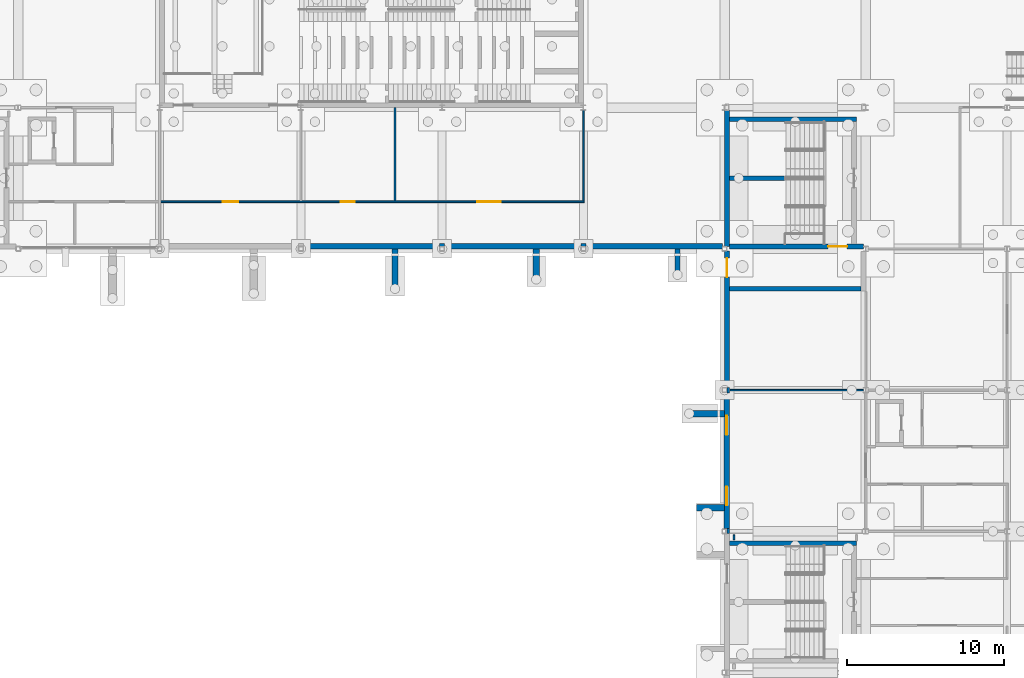
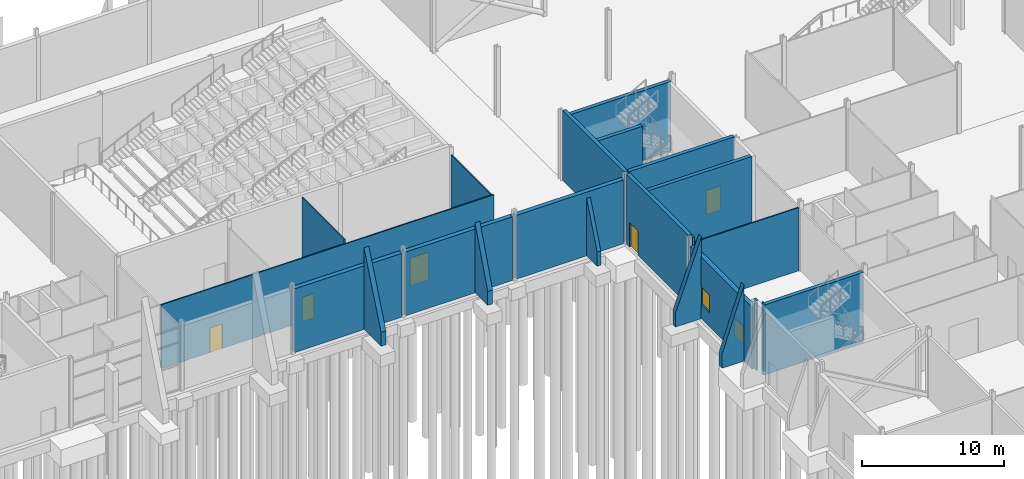
# One storey, part 99 of 139: 25 walls, 5 doors, 2 windows, 7 openings.
"""IFC4 building model written with IfcOpenShell, lengths in metres."""

from ifc_helpers import new_model, si_unit, direction, frame, frame_2d, origin, place, context, subcontext, project, spatial, polyline, rectangle, outline, extrude, material, layer, layer_set, type_object, element, fill, save


model = new_model("IFC4")

# Units and contexts
model_context = context("Model", 3, precision=1e-05, world=origin(), true_north=direction((0.0, 1.0)))
body_context = subcontext(model_context, "Body", "Model", "MODEL_VIEW")
ifc_project = project(units=[si_unit("LENGTHUNIT", "METRE"), si_unit("AREAUNIT", "SQUARE_METRE"), si_unit("VOLUMEUNIT", "CUBIC_METRE"), si_unit("PLANEANGLEUNIT", "RADIAN"), si_unit("MASSUNIT", "GRAM", prefix="KILO")], contexts=[model_context])

# Site, building, storey
site_placement = place(None, origin())
site = spatial("IfcSite", under=ifc_project, at=site_placement, CompositionType="ELEMENT")
building_placement = place(site_placement, origin())
building = spatial("IfcBuilding", under=site, at=building_placement, Name="Shorebreak Coast Museum", CompositionType="ELEMENT")
storey_placement = place(building_placement, origin())
storey = spatial("IfcBuildingStorey", under=building, at=storey_placement, Name="L00", CompositionType="ELEMENT", Elevation=0.0)

# Walls
ifc_material_1 = material(Name="Concrete N50 (50 MPa)", Category="concrete")
ifc_layer_1 = layer(ifc_material_1, 0.14990234375)
ifc_layer_set_1 = layer_set([ifc_layer_1], Name="Concrete N50 (50 MPa)")
wall_type_1 = type_object("IfcWallType", Name="Column closure panel 150", PredefinedType="SOLIDWALL", material=ifc_layer_set_1)
for number, where, z_axis, x_axis, name in (
    (1, (54.22509765625, 35.85009765625, 0.0), (0.0, 0.0, 1.0), (0.0, 1.0, 0.0), "Column closure panel L00 W 7E"),
    (2, (54.22509765625, 44.827880859375, 0.0), (0.0, 0.0, 1.0), (0.0, 1.0, 0.0), "Column closure panel L00 W 7F"),
):
    element("IfcWall", number, at=place(storey_placement, frame(where, z_axis=z_axis, x_axis=x_axis)), inside=storey, type_object=wall_type_1, Name=name, PredefinedType="SOLIDWALL", context=body_context, shape_type="SweptSolid", body=[
        extrude(rectangle(XDim=0.322021484375, YDim=0.14990234375, at=frame_2d((0.1611328125, 0.0))), origin(), (0.0, 0.0, 1.0), 6.0),
    ])
ifc_material_2 = material(Name="Concrete N50 (50 MPa)", Category="concrete")
ifc_layer_2 = layer(ifc_material_2, 0.175048828125)
ifc_layer_set_2 = layer_set([ifc_layer_2], Name="Concrete N50 (50 MPa)")
wall_type_2 = type_object("IfcWallType", Name="Column closure panel 175", PredefinedType="SOLIDWALL", material=ifc_layer_set_2)
for number, where, z_axis, x_axis, name in (
    (3, (35.839111328125, 54.237548828125, 0.0), (0.0, 0.0, 1.0), (1.0, 0.0, 0.0), "Column closure panel L00 S 5G"),
    (4, (44.839111328125, 54.237548828125, 0.0), (0.0, 0.0, 1.0), (1.0, 0.0, 0.0), "Column closure panel L00 S 6G"),
):
    element("IfcWall", number, at=place(storey_placement, frame(where, z_axis=z_axis, x_axis=x_axis)), inside=storey, type_object=wall_type_2, Name=name, PredefinedType="SOLIDWALL", context=body_context, shape_type="SweptSolid", body=[
        extrude(rectangle(XDim=0.32177734375, YDim=0.175048828125, at=frame_2d((0.160888671875, 0.0))), origin(), (0.0, 0.0, 1.0), 5.469482421875),
    ])
ifc_material_3 = material(Name="Plasterboard on steel stud", Category="steel")
ifc_layer_3 = layer(ifc_material_3, 0.10009765625)
ifc_layer_set_3 = layer_set([ifc_layer_3], Name="Plasterboard on steel stud")
wall_type_3 = type_object("IfcWallType", Name="Partition 100", PredefinedType="PARTITIONING", material=ifc_layer_set_3)
wall_1_placement = place(storey_placement, frame((54.35009765625, 45.0, 0.0), z_axis=(0.0, 0.0, 1.0), x_axis=(1.0, 0.0, 0.0)))
element("IfcWall", 5, at=wall_1_placement, inside=storey, type_object=wall_type_3, Name="Partition L00-026", PredefinedType="PARTITIONING", context=body_context, shape_type="SweptSolid", body=[
    extrude(rectangle(XDim=8.495361328125, YDim=0.10009765625, at=frame_2d((4.24755859375, 0.0))), origin(), (0.0, 0.0, 1.0), 5.418701171875),
])

# Wall, openings, doors
wall_2_placement = place(storey_placement, frame((18.0625, 57.0, 0.0), z_axis=(0.0, 0.0, 1.0), x_axis=(1.0, 0.0, 0.0)))
wall_2 = element("IfcWall", 6, at=wall_2_placement, inside=storey, type_object=wall_type_3, Name="Partition L00-035", PredefinedType="PARTITIONING", context=body_context, shape_type="SweptSolid", body=[
    extrude(rectangle(XDim=26.987548828125, YDim=0.10009765625, at=frame_2d((13.49365234375, 0.0))), origin(), (0.0, 0.0, 1.0), 5.469482421875),
])
opening_1_placement = place(wall_2_placement, frame((3.949951171875, 0.0, 0.0)))
opening_1 = element("IfcOpeningElement", 7, at=opening_1_placement, cuts=wall_2, Name="Opening D0033", PredefinedType="OPENING", context=body_context, shape_type="SweptSolid", body=[
    extrude(rectangle(XDim=1.0, YDim=2.10009765625, at=frame_2d((0.5, 1.050048828125))), frame((0.0, 0.06005859375, 0.0), z_axis=(0.0, -1.0, 0.0), x_axis=(1.0, 0.0, 0.0)), (0.0, 0.0, 1.0), 0.1201171875),
])
opening_2_placement = place(wall_2_placement, frame((11.487548828125, 0.0, 0.0)))
opening_2 = element("IfcOpeningElement", 8, at=opening_2_placement, cuts=wall_2, Name="Opening D0034", PredefinedType="OPENING", context=body_context, shape_type="SweptSolid", body=[
    extrude(rectangle(XDim=0.89990234375, YDim=2.10009765625, at=frame_2d((0.449951171875, 1.050048828125))), frame((0.0, 0.06005859375, 0.0), z_axis=(0.0, -1.0, 0.0), x_axis=(1.0, 0.0, 0.0)), (0.0, 0.0, 1.0), 0.1201171875),
])
opening_3_placement = place(wall_2_placement, frame((20.1875, 0.0, 0.0)))
opening_3 = element("IfcOpeningElement", 9, at=opening_3_placement, cuts=wall_2, Name="Opening D0035", PredefinedType="OPENING", context=body_context, shape_type="SweptSolid", body=[
    extrude(rectangle(XDim=1.5, YDim=2.39990234375, at=frame_2d((0.75, 1.199951171875))), frame((0.0, 0.06005859375, 0.0), z_axis=(0.0, -1.0, 0.0), x_axis=(1.0, 0.0, 0.0)), (0.0, 0.0, 1.0), 0.1201171875),
])
ifc_material_4 = material(Name="Timber", Category="wood")
door_type_1 = type_object("IfcDoorType", Name="Interior door 1000x2100", OperationType="SINGLE_SWING_LEFT", PredefinedType="DOOR", material=ifc_material_4)
door_1_placement = place(opening_1_placement, origin())
door_1 = element("IfcDoor", 10, at=door_1_placement, inside=storey, type_object=door_type_1, Name="Door D0033 Green Room", OperationType="SINGLE_SWING_LEFT", OverallHeight=2.10009765625, OverallWidth=1.0, PredefinedType="DOOR", context=body_context, shape_type="SweptSolid", body=[
    extrude(rectangle(XDim=1.0, YDim=2.10009765625, at=frame_2d((0.5, 1.050048828125))), frame((0.0, 0.02490234375, 0.0), z_axis=(0.0, -1.0, 0.0), x_axis=(1.0, 0.0, 0.0)), (0.0, 0.0, 1.0), 0.050048828125),
])
fill(opening_1, door_1)
ifc_material_5 = material(Name="Timber", Category="wood")
door_type_2 = type_object("IfcDoorType", Name="Interior door 1500x2400", OperationType="DOUBLE_DOOR_SINGLE_SWING", PredefinedType="DOOR", material=ifc_material_5)
door_2_placement = place(opening_3_placement, origin())
door_2 = element("IfcDoor", 11, at=door_2_placement, inside=storey, type_object=door_type_2, Name="Door D0035 Seat Store", OperationType="DOUBLE_DOOR_SINGLE_SWING", OverallHeight=2.39990234375, OverallWidth=1.5, PredefinedType="DOOR", context=body_context, shape_type="SweptSolid", body=[
    extrude(rectangle(XDim=1.5, YDim=2.39990234375, at=frame_2d((0.75, 1.199951171875))), frame((0.0, 0.02490234375, 0.0), z_axis=(0.0, -1.0, 0.0), x_axis=(1.0, 0.0, 0.0)), (0.0, 0.0, 1.0), 0.050048828125),
])
fill(opening_3, door_2)
ifc_material_6 = material(Name="Timber", Category="wood")
door_type_3 = type_object("IfcDoorType", Name="Interior door 900x2100", OperationType="SINGLE_SWING_LEFT", PredefinedType="DOOR", material=ifc_material_6)
door_3_placement = place(opening_2_placement, origin())
door_3 = element("IfcDoor", 12, at=door_3_placement, inside=storey, type_object=door_type_3, Name="Door D0034 Control Room", OperationType="SINGLE_SWING_RIGHT", OverallHeight=2.10009765625, OverallWidth=0.89990234375, PredefinedType="DOOR", context=body_context, shape_type="SweptSolid", body=[
    extrude(rectangle(XDim=0.89990234375, YDim=2.10009765625, at=frame_2d((0.449951171875, 1.050048828125))), frame((0.0, 0.02490234375, 0.0), z_axis=(0.0, -1.0, 0.0), x_axis=(1.0, 0.0, 0.0)), (0.0, 0.0, 1.0), 0.050048828125),
])
fill(opening_2, door_3)

# Walls
wall_3_placement = place(storey_placement, frame((33.0, 57.050048828125, 0.0), z_axis=(0.0, 0.0, 1.0), x_axis=(0.0, 1.0, 0.0)))
element("IfcWall", 13, at=wall_3_placement, inside=storey, type_object=wall_type_3, Name="Partition L00-090", PredefinedType="PARTITIONING", context=body_context, shape_type="SweptSolid", body=[
    extrude(rectangle(XDim=5.949951171875, YDim=0.10009765625, at=frame_2d((2.97509765625, 0.0))), origin(), (0.0, 0.0, 1.0), 5.824951171875),
])
wall_4_placement = place(storey_placement, frame((45.0, 57.050048828125, 0.0), z_axis=(0.0, 0.0, 1.0), x_axis=(0.0, 1.0, 0.0)))
element("IfcWall", 14, at=wall_4_placement, inside=storey, type_object=wall_type_3, Name="Partition L00-091", PredefinedType="PARTITIONING", context=body_context, shape_type="SweptSolid", body=[
    extrude(rectangle(XDim=5.786376953125, YDim=0.10009765625, at=frame_2d((2.89306640625, 0.0))), origin(), (0.0, 0.0, 1.0), 5.364501953125),
])
wall_5_placement = place(storey_placement, frame((54.60009765625, 35.449951171875, 0.0), z_axis=(0.0, 0.0, 1.0), x_axis=(0.0, 1.0, 0.0)))
element("IfcWall", 15, at=wall_5_placement, inside=storey, type_object=wall_type_3, Name="Partition L00-094", PredefinedType="PARTITIONING", context=body_context, shape_type="SweptSolid", body=[
    extrude(rectangle(XDim=0.330078125, YDim=0.10009765625, at=frame_2d((0.1650390625, 0.0))), origin(), (0.0, 0.0, 1.0), 5.824951171875),
])

# Wall, openings, windows
ifc_material_7 = material(Name="Concrete N50 (50 MPa)", Category="concrete")
ifc_layer_4 = layer(ifc_material_7, 0.35009765625)
ifc_layer_set_4 = layer_set([ifc_layer_4], Name="Concrete N50 (50 MPa)")
wall_type_4 = type_object("IfcWallType", Name="Precast plinth panel 350", PredefinedType="SOLIDWALL", material=ifc_layer_set_4)
wall_6_placement = place(storey_placement, frame((54.14990234375, 36.172119140625, 0.0), z_axis=(0.0, 0.0, 1.0), x_axis=(0.0, 1.0, 0.0)))
wall_6 = element("IfcWall", 16, at=wall_6_placement, inside=storey, type_object=wall_type_4, Name="External wall L00 W 7E", PredefinedType="SOLIDWALL", context=body_context, shape_type="SweptSolid", body=[
    extrude(rectangle(XDim=8.65576171875, YDim=0.35009765625, at=frame_2d((4.327880859375, 0.0))), origin(), (0.0, 0.0, 1.0), 5.2919921875),
])
opening_4_placement = place(wall_6_placement, frame((1.47802734375, 0.0, 1.199951171875)))
opening_4 = element("IfcOpeningElement", 17, at=opening_4_placement, cuts=wall_6, Name="Opening WN0010", PredefinedType="OPENING", context=body_context, shape_type="SweptSolid", body=[
    extrude(rectangle(XDim=1.199951171875, YDim=1.5, at=frame_2d((0.60009765625, 0.75))), frame((0.0, 0.18505859375, 0.0), z_axis=(0.0, -1.0, 0.0), x_axis=(1.0, 0.0, 0.0)), (0.0, 0.0, 1.0), 0.3701171875),
])
opening_5_placement = place(wall_6_placement, frame((5.97802734375, 0.0, 1.199951171875)))
opening_5 = element("IfcOpeningElement", 18, at=opening_5_placement, cuts=wall_6, Name="Opening WN0011", PredefinedType="OPENING", context=body_context, shape_type="SweptSolid", body=[
    extrude(rectangle(XDim=1.199951171875, YDim=1.5, at=frame_2d((0.60009765625, 0.75))), frame((0.0, 0.18505859375, 0.0), z_axis=(0.0, -1.0, 0.0), x_axis=(1.0, 0.0, 0.0)), (0.0, 0.0, 1.0), 0.3701171875),
])
ifc_material_8 = material(Name="Aluminium", Category="aluminium")
window_type = type_object("IfcWindowType", Name="Punched window 1200 x 1500", PartitioningType="SINGLE_PANEL", PredefinedType="WINDOW", material=ifc_material_8)
window_1_placement = place(opening_4_placement, origin())
window_1 = element("IfcWindow", 19, at=window_1_placement, inside=storey, type_object=window_type, Name="Window WN0010", OverallHeight=1.5, OverallWidth=1.199951171875, PartitioningType="SINGLE_PANEL", PredefinedType="WINDOW", context=body_context, shape_type="SweptSolid", body=[
    extrude(rectangle(XDim=1.199951171875, YDim=1.5, at=frame_2d((0.60009765625, 0.75))), frame((0.0, 0.030029296875, 0.0), z_axis=(0.0, -1.0, 0.0), x_axis=(1.0, 0.0, 0.0)), (0.0, 0.0, 1.0), 0.06005859375),
])
fill(opening_4, window_1)
window_2_placement = place(opening_5_placement, origin())
window_2 = element("IfcWindow", 20, at=window_2_placement, inside=storey, type_object=window_type, Name="Window WN0011", OverallHeight=1.5, OverallWidth=1.199951171875, PartitioningType="SINGLE_PANEL", PredefinedType="WINDOW", context=body_context, shape_type="SweptSolid", body=[
    extrude(rectangle(XDim=1.199951171875, YDim=1.5, at=frame_2d((0.60009765625, 0.75))), frame((0.0, 0.030029296875, 0.0), z_axis=(0.0, -1.0, 0.0), x_axis=(1.0, 0.0, 0.0)), (0.0, 0.0, 1.0), 0.06005859375),
])
fill(opening_5, window_2)

# Walls
for number, where, z_axis, x_axis, name in (
    (21, (27.160888671875, 54.14990234375, 0.0), (0.0, 0.0, 1.0), (1.0, 0.0, 0.0), "External wall L00 S 4G"),
    (22, (36.160888671875, 54.14990234375, 0.0), (0.0, 0.0, 1.0), (1.0, 0.0, 0.0), "External wall L00 S 5G"),
):
    element("IfcWall", number, at=place(storey_placement, frame(where, z_axis=z_axis, x_axis=x_axis)), inside=storey, type_object=wall_type_4, Name=name, PredefinedType="SOLIDWALL", context=body_context, shape_type="SweptSolid", body=[
        extrude(rectangle(XDim=8.67822265625, YDim=0.35009765625, at=frame_2d((4.339111328125, 0.0))), origin(), (0.0, 0.0, 1.0), 5.469482421875),
    ])
wall_7_placement = place(storey_placement, frame((45.160888671875, 54.14990234375, 0.0), z_axis=(0.0, 0.0, 1.0), x_axis=(1.0, 0.0, 0.0)))
element("IfcWall", 23, at=wall_7_placement, inside=storey, type_object=wall_type_4, Name="External wall L00 S 6G", PredefinedType="SOLIDWALL", context=body_context, shape_type="SweptSolid", body=[
    extrude(rectangle(XDim=8.689208984375, YDim=0.35009765625, at=frame_2d((4.3447265625, 0.0))), origin(), (0.0, 0.0, 1.0), 5.469482421875),
])

# Wall, opening, door
ifc_material_9 = material(Name="Concrete N50 (50 MPa)", Category="concrete")
ifc_layer_5 = layer(ifc_material_9, 0.300048828125)
ifc_layer_set_5 = layer_set([ifc_layer_5], Name="Concrete N50 (50 MPa)")
wall_type_5 = type_object("IfcWallType", Name="RC wall 300", PredefinedType="SHEAR", material=ifc_layer_set_5)
wall_8_placement = place(storey_placement, frame((54.300048828125, 54.14990234375, 0.0), z_axis=(0.0, 0.0, 1.0), x_axis=(1.0, 0.0, 0.0)))
wall_8 = element("IfcWall", 24, at=wall_8_placement, inside=storey, type_object=wall_type_5, Name="Stair core wall ST01 L00 S", PredefinedType="SHEAR", context=body_context, shape_type="SweptSolid", body=[
    extrude(rectangle(XDim=8.54541015625, YDim=0.300048828125, at=frame_2d((4.272705078125, 0.0))), origin(), (0.0, 0.0, 1.0), 6.0),
])
opening_6_placement = place(wall_8_placement, frame((6.300048828125, 0.0, 0.0)))
opening_6 = element("IfcOpeningElement", 25, at=opening_6_placement, cuts=wall_8, Name="Opening D0551", PredefinedType="OPENING", context=body_context, shape_type="SweptSolid", body=[
    extrude(rectangle(XDim=1.199951171875, YDim=2.10009765625, at=frame_2d((0.60009765625, 1.050048828125))), frame((0.0, 0.159912109375, 0.0), z_axis=(0.0, -1.0, 0.0), x_axis=(1.0, 0.0, 0.0)), (0.0, 0.0, 1.0), 0.320068359375),
])
ifc_material_10 = material(Name="Steel Grade 300", Category="steel")
door_type_4 = type_object("IfcDoorType", Name="Fire door 1200x2100", OperationType="SINGLE_SWING_LEFT", PredefinedType="DOOR", material=ifc_material_10)
door_4_placement = place(opening_6_placement, origin())
door_4 = element("IfcDoor", 26, at=door_4_placement, inside=storey, type_object=door_type_4, Name="Passage door ST01", OperationType="SINGLE_SWING_RIGHT", OverallHeight=2.10009765625, OverallWidth=1.199951171875, PredefinedType="DOOR", context=body_context, shape_type="SweptSolid", body=[
    extrude(rectangle(XDim=1.199951171875, YDim=2.10009765625, at=frame_2d((0.60009765625, 1.050048828125))), frame((0.0, 0.02490234375, 0.0), z_axis=(0.0, -1.0, 0.0), x_axis=(1.0, 0.0, 0.0)), (0.0, 0.0, 1.0), 0.050048828125),
])
fill(opening_6, door_4)

# Walls
wall_9_placement = place(storey_placement, frame((54.300048828125, 62.25, 0.0), z_axis=(0.0, 0.0, 1.0), x_axis=(1.0, 0.0, 0.0)))
element("IfcWall", 27, at=wall_9_placement, inside=storey, type_object=wall_type_5, Name="Stair core wall ST01 L00 N", PredefinedType="SHEAR", context=body_context, shape_type="SweptSolid", body=[
    extrude(rectangle(XDim=8.099853515625, YDim=0.300048828125, at=frame_2d((4.0498046875, 0.0))), origin(), (0.0, 0.0, 1.0), 6.0),
])
wall_10_placement = place(storey_placement, frame((54.14990234375, 54.14990234375, 0.0), z_axis=(0.0, 0.0, 1.0), x_axis=(0.0, 1.0, 0.0)))
element("IfcWall", 28, at=wall_10_placement, inside=storey, type_object=wall_type_5, Name="Stair core wall ST01 L00 W", PredefinedType="SHEAR", context=body_context, shape_type="SweptSolid", body=[
    extrude(rectangle(XDim=8.689697265625, YDim=0.300048828125, at=frame_2d((4.3447265625, 0.0))), origin(), (0.0, 0.0, 1.0), 6.0),
])
wall_11_placement = place(storey_placement, frame((54.300048828125, 35.25, 0.0), z_axis=(0.0, 0.0, 1.0), x_axis=(1.0, 0.0, 0.0)))
element("IfcWall", 29, at=wall_11_placement, inside=storey, type_object=wall_type_5, Name="Stair core wall ST13 L00 N", PredefinedType="SHEAR", context=body_context, shape_type="SweptSolid", body=[
    extrude(rectangle(XDim=8.099853515625, YDim=0.300048828125, at=frame_2d((4.0498046875, 0.0))), origin(), (0.0, 0.0, 1.0), 6.0),
])

# Wall, opening, door
wall_12_placement = place(storey_placement, frame((54.14990234375, 45.14990234375, 0.0), z_axis=(0.0, 0.0, 1.0), x_axis=(0.0, 1.0, 0.0)))
wall_12 = element("IfcWall", 30, at=wall_12_placement, inside=storey, type_object=wall_type_5, Name="Exit passage wall PX1 exit", PredefinedType="SHEAR", context=body_context, shape_type="SweptSolid", body=[
    extrude(rectangle(XDim=8.7001953125, YDim=0.300048828125, at=frame_2d((4.35009765625, 0.0))), origin(), (0.0, 0.0, 1.0), 6.0),
])
opening_7_placement = place(wall_12_placement, frame((7.050048828125, 0.0, 0.0)))
opening_7 = element("IfcOpeningElement", 31, at=opening_7_placement, cuts=wall_12, Name="Opening D0561", PredefinedType="OPENING", context=body_context, shape_type="SweptSolid", body=[
    extrude(rectangle(XDim=1.199951171875, YDim=2.10009765625, at=frame_2d((0.60009765625, 1.050048828125))), frame((0.0, 0.159912109375, 0.0), z_axis=(0.0, -1.0, 0.0), x_axis=(1.0, 0.0, 0.0)), (0.0, 0.0, 1.0), 0.320068359375),
])
ifc_material_11 = material(Name="Steel Grade 300", Category="steel")
door_type_5 = type_object("IfcDoorType", Name="Exit door 1200x2100", OperationType="SINGLE_SWING_LEFT", PredefinedType="DOOR", material=ifc_material_11)
door_5_placement = place(opening_7_placement, origin())
door_5 = element("IfcDoor", 32, at=door_5_placement, inside=storey, type_object=door_type_5, Name="Exit door PX1", OperationType="SINGLE_SWING_LEFT", OverallHeight=2.10009765625, OverallWidth=1.199951171875, PredefinedType="DOOR", context=body_context, shape_type="SweptSolid", body=[
    extrude(rectangle(XDim=1.199951171875, YDim=2.10009765625, at=frame_2d((0.60009765625, 1.050048828125))), frame((0.0, 0.02490234375, 0.0), z_axis=(0.0, -1.0, 0.0), x_axis=(1.0, 0.0, 0.0)), (0.0, 0.0, 1.0), 0.050048828125),
])
fill(opening_7, door_5)

# Walls
wall_13_placement = place(storey_placement, frame((54.300048828125, 51.449951171875, 0.0), z_axis=(0.0, 0.0, 1.0), x_axis=(1.0, 0.0, 0.0)))
element("IfcWall", 33, at=wall_13_placement, inside=storey, type_object=wall_type_5, Name="Exit passage wall PX1 far", PredefinedType="SHEAR", context=body_context, shape_type="SweptSolid", body=[
    extrude(rectangle(XDim=8.39990234375, YDim=0.300048828125, at=frame_2d((4.199951171875, 0.0))), origin(), (0.0, 0.0, 1.0), 6.0),
])
wall_14_placement = place(storey_placement, frame((57.89990234375, 58.5, 0.0), z_axis=(0.0, 0.0, 1.0), x_axis=(-1.0, 0.0, 0.0)))
element("IfcWall", 34, at=wall_14_placement, inside=storey, type_object=wall_type_5, Name="Stair spine wall ST01 L00", PredefinedType="SHEAR", context=body_context, shape_type="SweptSolid", body=[
    extrude(rectangle(XDim=3.599853515625, YDim=0.300048828125, at=frame_2d((1.7998046875, 0.0))), origin(), (0.0, 0.0, 1.0), 6.0),
])
ifc_material_12 = material(Name="Concrete N50 (50 MPa)", Category="concrete")
ifc_layer_6 = layer(ifc_material_12, 0.300048828125)
ifc_layer_set_6 = layer_set([ifc_layer_6], Name="Concrete N50 (50 MPa)")
wall_type_6 = type_object("IfcWallType", Name="Raked fin 300", PredefinedType="SOLIDWALL", material=ifc_layer_set_6)
wall_15_placement = place(storey_placement, frame((51.0, 54.0, 0.0), z_axis=(0.0, 0.0, 1.0), x_axis=(0.0, -1.0, 0.0)))
element("IfcWall", 35, at=wall_15_placement, inside=storey, type_object=wall_type_6, Name="Raked fin WS18", PredefinedType="SOLIDWALL", context=body_context, shape_type="SweptSolid", body=[
    extrude(outline(polyline([(0.0, 0.0), (1.5, 0.0), (1.5, 1.199951171875), (0.0, 5.0), (0.0, 0.0)])), frame((0.0, 0.14990234375, 0.0), z_axis=(0.0, -1.0, 0.0), x_axis=(1.0, 0.0, 0.0)), (0.0, 0.0, 1.0), 0.300048828125),
])
ifc_material_13 = material(Name="Concrete N50 (50 MPa)", Category="concrete")
ifc_layer_7 = layer(ifc_material_13, 0.39990234375)
ifc_layer_set_7 = layer_set([ifc_layer_7], Name="Concrete N50 (50 MPa)")
wall_type_7 = type_object("IfcWallType", Name="Raked fin 400", PredefinedType="SOLIDWALL", material=ifc_layer_set_7)
wall_16_placement = place(storey_placement, frame((33.0, 54.0, 0.0), z_axis=(0.0, 0.0, 1.0), x_axis=(0.0, -1.0, 0.0)))
element("IfcWall", 36, at=wall_16_placement, inside=storey, type_object=wall_type_7, Name="Raked fin WS16", PredefinedType="SOLIDWALL", context=body_context, shape_type="SweptSolid", body=[
    extrude(outline(polyline([(0.0, 0.0), (2.39990234375, 0.0), (2.39990234375, 1.199951171875), (0.0, 7.0), (0.0, 0.0)])), frame((0.0, 0.199951171875, 0.0), z_axis=(0.0, -1.0, 0.0), x_axis=(1.0, 0.0, 0.0)), (0.0, 0.0, 1.0), 0.39990234375),
])
wall_17_placement = place(storey_placement, frame((42.0, 54.0, 0.0), z_axis=(0.0, 0.0, 1.0), x_axis=(0.0, -1.0, 0.0)))
element("IfcWall", 37, at=wall_17_placement, inside=storey, type_object=wall_type_7, Name="Raked fin WS17", PredefinedType="SOLIDWALL", context=body_context, shape_type="SweptSolid", body=[
    extrude(outline(polyline([(0.0, 0.0), (1.800048828125, 0.0), (1.800048828125, 1.199951171875), (0.0, 6.0), (0.0, 0.0)])), frame((0.0, 0.199951171875, 0.0), z_axis=(0.0, -1.0, 0.0), x_axis=(1.0, 0.0, 0.0)), (0.0, 0.0, 1.0), 0.39990234375),
])
wall_18_placement = place(storey_placement, frame((54.0, 37.5, 0.0), z_axis=(0.0, 0.0, 1.0), x_axis=(-1.0, 0.0, 0.0)))
element("IfcWall", 38, at=wall_18_placement, inside=storey, type_object=wall_type_7, Name="Raked fin SW38", PredefinedType="SOLIDWALL", context=body_context, shape_type="SweptSolid", body=[
    extrude(outline(polyline([(0.0, 0.0), (1.800048828125, 0.0), (1.800048828125, 1.199951171875), (0.0, 6.5), (0.0, 0.0)])), frame((0.0, 0.199951171875, 0.0), z_axis=(0.0, -1.0, 0.0), x_axis=(1.0, 0.0, 0.0)), (0.0, 0.0, 1.0), 0.39990234375),
])
wall_19_placement = place(storey_placement, frame((54.0, 43.5, 0.0), z_axis=(0.0, 0.0, 1.0), x_axis=(-1.0, 0.0, 0.0)))
element("IfcWall", 39, at=wall_19_placement, inside=storey, type_object=wall_type_7, Name="Raked fin SW39", PredefinedType="SOLIDWALL", context=body_context, shape_type="SweptSolid", body=[
    extrude(outline(polyline([(0.0, 0.0), (2.10009765625, 0.0), (2.10009765625, 1.199951171875), (0.0, 7.0), (0.0, 0.0)])), frame((0.0, 0.199951171875, 0.0), z_axis=(0.0, -1.0, 0.0), x_axis=(1.0, 0.0, 0.0)), (0.0, 0.0, 1.0), 0.39990234375),
])

save(model, "model.ifc")
